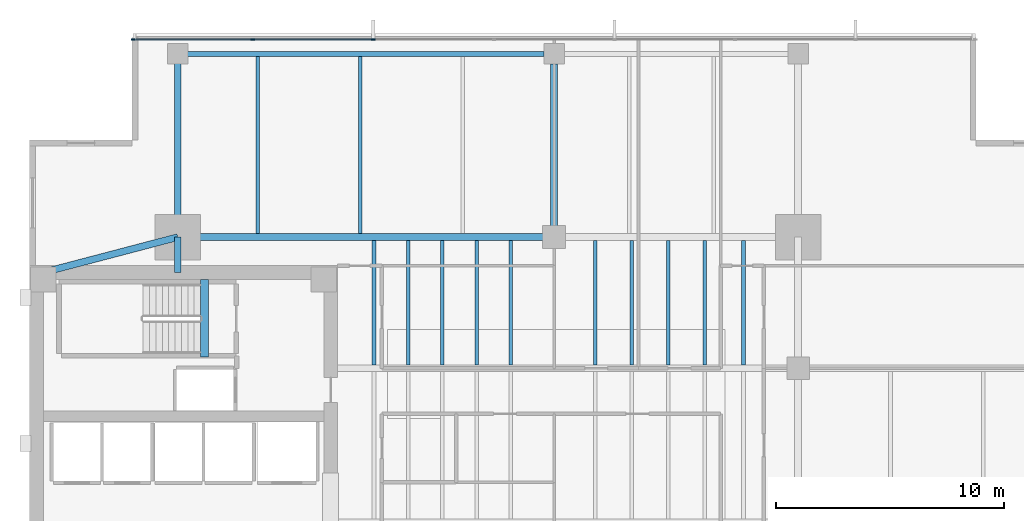
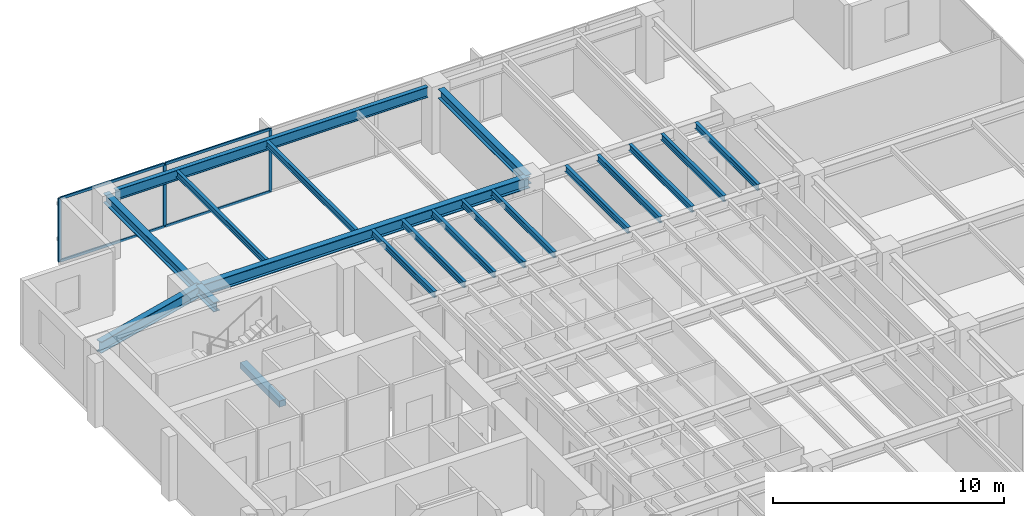
# One storey, part 5 of 14: 19 beams, 7 members, 1 element without a shape of its own.
"""IFC4 building model written with IfcOpenShell, lengths in metres."""

from ifc_helpers import new_model, si_unit, direction, frame, origin, origin_2d, place, context, subcontext, project, spatial, rectangle, i_section, extrude, material, layer, layer_set, material_profile, profile_set, type_object, element, aggregate, save


model = new_model("IFC4")

# Units and contexts
model_context = context("Model", 3, precision=1e-05, world=origin(), true_north=direction((0.0, 1.0)))
body_context = subcontext(model_context, "Body", "Model", "MODEL_VIEW")
ifc_project = project(units=[si_unit("LENGTHUNIT", "METRE"), si_unit("AREAUNIT", "SQUARE_METRE"), si_unit("VOLUMEUNIT", "CUBIC_METRE"), si_unit("PLANEANGLEUNIT", "RADIAN"), si_unit("MASSUNIT", "GRAM", prefix="KILO")], contexts=[model_context])

# Site, building, storey
site_placement = place(None, origin())
site = spatial("IfcSite", under=ifc_project, at=site_placement, CompositionType="ELEMENT")
building_placement = place(site_placement, origin())
building = spatial("IfcBuilding", under=site, at=building_placement, Name="Kinhvarn Gate Tower", CompositionType="ELEMENT")
storey_placement = place(building_placement, frame((0.0, 0.0, 155.5)))
storey = spatial("IfcBuildingStorey", under=building, at=storey_placement, Name="L41", CompositionType="ELEMENT", Elevation=155.5)

# Beam
ifc_material_1 = material(Name="Concrete C50/60", Category="concrete")
ifc_material_profile_1 = material_profile(ifc_material_1, rectangle(XDim=0.340087890625, YDim=0.320068359375, at=origin_2d()), Name="RC 340x320")
ifc_profile_set_1 = profile_set([ifc_material_profile_1], Name="Concrete C50/60")
beam_type_1 = type_object("IfcBeamType", Name="BM-LND-500", PredefinedType="BEAM", material=ifc_profile_set_1)
beam_1_placement = place(storey_placement, frame((12.1650390625, 32.5, -0.159912109375), z_axis=(0.0, 1.0, 0.0), x_axis=(-1.0, 0.0, 0.0)))
element("IfcBeam", 1, at=beam_1_placement, inside=storey, type_object=beam_type_1, Name="Stair ST2 Landing Nosing Beam (L41)", PredefinedType="BEAM", context=body_context, shape_type="SweptSolid", body=[
    extrude(rectangle(XDim=0.340087890625, YDim=0.320068359375, at=origin_2d()), origin(), (0.0, 0.0, 1.0), 3.39990234375),
])

# Curtain wall, members
ifc_material_2 = material(Name="Anodised aluminium AW-6063", Category="aluminium")
ifc_layer = layer(ifc_material_2, 0.179931640625)
ifc_layer_set = layer_set([ifc_layer], Name="Anodised aluminium AW-6063")
curtain_wall_type = type_object("IfcCurtainWallType", Name="CW-SYS-3", PredefinedType="NOTDEFINED", material=ifc_layer_set)
curtain_wall_placement = place(storey_placement, origin())
curtain_wall = element("IfcCurtainWall", 2, at=curtain_wall_placement, inside=storey, type_object=curtain_wall_type, Name="Curtain Wall CW3 (L41)", PredefinedType="NOTDEFINED")
ifc_material_profile_2 = material_profile(ifc_material_2, rectangle(XDim=0.06494140625, YDim=0.159912109375, at=origin_2d()), Name="ALU 65x160")
ifc_profile_set_2 = profile_set([ifc_material_profile_2], Name="Anodised aluminium AW-6063")
member_type_1 = type_object("IfcMemberType", Name="CW-MUL-160", PredefinedType="MULLION", material=ifc_profile_set_2)
member_1_placement = place(storey_placement, frame((19.571533203125, 46.409912109375, 0.0), z_axis=(0.0, 0.0, 1.0), x_axis=(0.0, -1.0, 0.0)))
member_1 = element("IfcMember", 3, at=member_1_placement, type_object=member_type_1, Name="CW3 mullion 6", PredefinedType="MULLION", context=body_context, shape_type="SweptSolid", body=[
    extrude(rectangle(XDim=0.06494140625, YDim=0.159912109375, at=origin_2d()), origin(), (0.0, 0.0, 1.0), 3.3701171875),
])
member_2_placement = place(storey_placement, frame((14.28564453125, 46.409912109375, 0.0), z_axis=(0.0, 0.0, 1.0), x_axis=(0.0, -1.0, 0.0)))
member_2 = element("IfcMember", 4, at=member_2_placement, type_object=member_type_1, Name="CW3 mullion 7", PredefinedType="MULLION", context=body_context, shape_type="SweptSolid", body=[
    extrude(rectangle(XDim=0.06494140625, YDim=0.159912109375, at=origin_2d()), origin(), (0.0, 0.0, 1.0), 3.3701171875),
])
member_3_placement = place(storey_placement, frame((9.032470703125, 46.409912109375, 0.0), z_axis=(0.0, 0.0, 1.0), x_axis=(0.0, -1.0, 0.0)))
member_3 = element("IfcMember", 5, at=member_3_placement, type_object=member_type_1, Name="CW3 mullion 8", PredefinedType="MULLION", context=body_context, shape_type="SweptSolid", body=[
    extrude(rectangle(XDim=0.06494140625, YDim=0.159912109375, at=origin_2d()), origin(), (0.0, 0.0, 1.0), 3.3701171875),
])
ifc_material_profile_3 = material_profile(ifc_material_2, rectangle(XDim=0.070068359375, YDim=0.139892578125, at=origin_2d()), Name="ALU 70x140")
ifc_profile_set_3 = profile_set([ifc_material_profile_3], Name="Anodised aluminium AW-6063")
member_type_2 = type_object("IfcMemberType", Name="CW-TRN-140", PredefinedType="USERDEFINED", material=ifc_profile_set_3)
member_4_placement = place(storey_placement, frame((19.538818359375, 46.409912109375, 0.034912109375), z_axis=(-1.0, 0.0, 0.0), x_axis=(0.0, -1.0, 0.0)))
member_4 = element("IfcMember", 6, at=member_4_placement, type_object=member_type_2, Name="CW3 transom 6.1", ObjectType="TRANSOM", PredefinedType="USERDEFINED", context=body_context, shape_type="SweptSolid", body=[
    extrude(rectangle(XDim=0.070068359375, YDim=0.139892578125, at=origin_2d()), origin(), (0.0, 0.0, 1.0), 5.220703125),
])
member_5_placement = place(storey_placement, frame((19.538818359375, 46.409912109375, 3.3349609375), z_axis=(-1.0, 0.0, 0.0), x_axis=(0.0, -1.0, 0.0)))
member_5 = element("IfcMember", 7, at=member_5_placement, type_object=member_type_2, Name="CW3 transom 6.2", ObjectType="TRANSOM", PredefinedType="USERDEFINED", context=body_context, shape_type="SweptSolid", body=[
    extrude(rectangle(XDim=0.070068359375, YDim=0.139892578125, at=origin_2d()), origin(), (0.0, 0.0, 1.0), 5.220703125),
])
member_6_placement = place(storey_placement, frame((14.253173828125, 46.409912109375, 0.034912109375), z_axis=(-1.0, 0.0, 0.0), x_axis=(0.0, -1.0, 0.0)))
member_6 = element("IfcMember", 8, at=member_6_placement, type_object=member_type_2, Name="CW3 transom 7.1", ObjectType="TRANSOM", PredefinedType="USERDEFINED", context=body_context, shape_type="SweptSolid", body=[
    extrude(rectangle(XDim=0.070068359375, YDim=0.139892578125, at=origin_2d()), origin(), (0.0, 0.0, 1.0), 5.188232421875),
])
member_7_placement = place(storey_placement, frame((14.253173828125, 46.409912109375, 3.3349609375), z_axis=(-1.0, 0.0, 0.0), x_axis=(0.0, -1.0, 0.0)))
member_7 = element("IfcMember", 9, at=member_7_placement, type_object=member_type_2, Name="CW3 transom 7.2", ObjectType="TRANSOM", PredefinedType="USERDEFINED", context=body_context, shape_type="SweptSolid", body=[
    extrude(rectangle(XDim=0.070068359375, YDim=0.139892578125, at=origin_2d()), origin(), (0.0, 0.0, 1.0), 5.188232421875),
])
aggregate(curtain_wall, [member_1, member_2, member_3, member_4, member_5, member_6, member_7])

# Beams
ifc_material_3 = material(Name="Steel S355", Category="steel")
ifc_material_profile_4 = material_profile(ifc_material_3, i_section(OverallWidth=0.300048828125, OverallDepth=0.5, WebThickness=0.014404296875, FlangeThickness=0.028076171875, at=origin_2d()), Name="HEB 500")
ifc_profile_set_4 = profile_set([ifc_material_profile_4], Name="Steel S355")
beam_type_2 = type_object("IfcBeamType", Name="STL-HEB500", PredefinedType="BEAM", material=ifc_profile_set_4)
beam_2_placement = place(storey_placement, frame((11.0, 36.199951171875, 3.1201171875), z_axis=(0.0, 1.0, 0.0), x_axis=(-1.0, 0.0, 0.0)))
element("IfcBeam", 10, at=beam_2_placement, inside=storey, type_object=beam_type_2, Name="Floor Beam PG-14 (L41 MCW-CN)", PredefinedType="BEAM", context=body_context, shape_type="SweptSolid", body=[
    extrude(i_section(OverallWidth=0.300048828125, OverallDepth=0.5, WebThickness=0.014404296875, FlangeThickness=0.028076171875, at=origin_2d()), origin(), (0.0, 0.0, 1.0), 1.550048828125),
])
beam_3_placement = place(storey_placement, frame((11.0, 37.75, 3.1201171875), z_axis=(0.0, 1.0, 0.0), x_axis=(-1.0, 0.0, 0.0)))
element("IfcBeam", 11, at=beam_3_placement, inside=storey, type_object=beam_type_2, Name="Floor Beam PG-14 (L41 MCW-N)", PredefinedType="BEAM", context=body_context, shape_type="SweptSolid", body=[
    extrude(i_section(OverallWidth=0.300048828125, OverallDepth=0.5, WebThickness=0.014404296875, FlangeThickness=0.028076171875, at=origin_2d()), origin(), (0.0, 0.0, 1.0), 8.030029296875),
])
beam_4_placement = place(storey_placement, frame((27.5, 37.75, 3.1201171875), z_axis=(0.0, 1.0, 0.0), x_axis=(-1.0, 0.0, 0.0)))
element("IfcBeam", 12, at=beam_4_placement, inside=storey, type_object=beam_type_2, Name="Floor Beam PG-14 (L41 SP27-N-TIE)", PredefinedType="BEAM", context=body_context, shape_type="SweptSolid", body=[
    extrude(i_section(OverallWidth=0.300048828125, OverallDepth=0.5, WebThickness=0.014404296875, FlangeThickness=0.028076171875, at=origin_2d()), origin(), (0.0, 0.0, 1.0), 7.594970703125),
])
ifc_material_profile_5 = material_profile(ifc_material_3, i_section(OverallWidth=0.300048828125, OverallDepth=0.60009765625, WebThickness=0.015380859375, FlangeThickness=0.030029296875, at=origin_2d()), Name="HEB 600")
ifc_profile_set_5 = profile_set([ifc_material_profile_5], Name="Steel S355")
beam_type_3 = type_object("IfcBeamType", Name="STL-HEB600", PredefinedType="BEAM", material=ifc_profile_set_5)
beam_5_placement = place(storey_placement, frame((11.0, 37.75, 3.070068359375), z_axis=(1.0, 0.0, 0.0), x_axis=(0.0, 1.0, 0.0)))
element("IfcBeam", 13, at=beam_5_placement, inside=storey, type_object=beam_type_3, Name="Floor Beam PG-16 (L41 MG-N1)", PredefinedType="BEAM", context=body_context, shape_type="SweptSolid", body=[
    extrude(i_section(OverallWidth=0.300048828125, OverallDepth=0.60009765625, WebThickness=0.015380859375, FlangeThickness=0.030029296875, at=origin_2d()), origin(), (0.0, 0.0, 1.0), 16.5),
])
beam_6_placement = place(storey_placement, frame((5.10009765625, 36.199951171875, 3.070068359375), z_axis=(0.967177623957, 0.254101246979, 0.0), x_axis=(-0.254101246979, 0.967177623957, 0.0)))
element("IfcBeam", 14, at=beam_6_placement, inside=storey, type_object=beam_type_3, Name="Floor Beam PG-16 (L41 MG-NW-DIAG)", PredefinedType="BEAM", context=body_context, shape_type="SweptSolid", body=[
    extrude(i_section(OverallWidth=0.300048828125, OverallDepth=0.60009765625, WebThickness=0.015380859375, FlangeThickness=0.030029296875, at=origin_2d()), origin(), (0.0, 0.0, 1.0), 6.10009765625),
])
ifc_material_profile_6 = material_profile(ifc_material_3, i_section(OverallWidth=0.159912109375, OverallDepth=0.330078125, WebThickness=0.007568359375, FlangeThickness=0.011474609375, at=origin_2d()), Name="IPE 330")
ifc_profile_set_6 = profile_set([ifc_material_profile_6], Name="Steel S355")
beam_type_4 = type_object("IfcBeamType", Name="STL-IPE330", PredefinedType="JOIST", material=ifc_profile_set_6)
for number, where, z_axis, x_axis, name in (
    (15, (19.60009765625, 32.14990234375, 3.205078125), (0.0, 1.0, 0.0), (-1.0, 0.0, 0.0), "Floor Joist SB-03 (L41 JC-X196-3)"),
    (16, (21.10009765625, 32.14990234375, 3.205078125), (0.0, 1.0, 0.0), (-1.0, 0.0, 0.0), "Floor Joist SB-03 (L41 JC-X211-3)"),
    (17, (22.60009765625, 32.14990234375, 3.205078125), (0.0, 1.0, 0.0), (-1.0, 0.0, 0.0), "Floor Joist SB-03 (L41 JC-X226-3)"),
    (18, (24.10009765625, 32.14990234375, 3.205078125), (0.0, 1.0, 0.0), (-1.0, 0.0, 0.0), "Floor Joist SB-03 (L41 JC-X241-3)"),
    (19, (25.60009765625, 32.14990234375, 3.205078125), (0.0, 1.0, 0.0), (-1.0, 0.0, 0.0), "Floor Joist SB-03 (L41 JC-X256-3)"),
    (20, (29.300048828125, 32.14990234375, 3.205078125), (0.0, 1.0, 0.0), (-1.0, 0.0, 0.0), "Floor Joist SB-03 (L41 JC-X293-3)"),
    (21, (30.89990234375, 32.14990234375, 3.205078125), (0.0, 1.0, 0.0), (-1.0, 0.0, 0.0), "Floor Joist SB-03 (L41 JC-X309-3)"),
    (22, (32.5, 32.14990234375, 3.205078125), (0.0, 1.0, 0.0), (-1.0, 0.0, 0.0), "Floor Joist SB-03 (L41 JC-X325-3)"),
    (23, (34.10009765625, 32.14990234375, 3.205078125), (0.0, 1.0, 0.0), (-1.0, 0.0, 0.0), "Floor Joist SB-03 (L41 JC-X341-3)"),
    (24, (35.800048828125, 32.14990234375, 3.205078125), (0.0, 1.0, 0.0), (-1.0, 0.0, 0.0), "Floor Joist SB-03 (L41 JC-X358-3)"),
):
    element("IfcBeam", number, at=place(storey_placement, frame(where, z_axis=z_axis, x_axis=x_axis)), inside=storey, type_object=beam_type_4, Name=name, PredefinedType="JOIST", context=body_context, shape_type="SweptSolid", body=[
        extrude(i_section(OverallWidth=0.159912109375, OverallDepth=0.330078125, WebThickness=0.007568359375, FlangeThickness=0.011474609375, at=origin_2d()), origin(), (0.0, 0.0, 1.0), 5.4501953125),
    ])
for number, where, z_axis, x_axis, name in (
    (25, (14.5, 37.89990234375, 3.205078125), (0.0, 1.0, 0.0), (-1.0, 0.0, 0.0), "Floor Joist SB-03 (L41 JN-X145)"),
    (26, (19.0, 37.89990234375, 3.205078125), (0.0, 1.0, 0.0), (-1.0, 0.0, 0.0), "Floor Joist SB-03 (L41 JN-X190)"),
):
    element("IfcBeam", number, at=place(storey_placement, frame(where, z_axis=z_axis, x_axis=x_axis)), inside=storey, type_object=beam_type_4, Name=name, PredefinedType="JOIST", context=body_context, shape_type="SweptSolid", body=[
        extrude(i_section(OverallWidth=0.159912109375, OverallDepth=0.330078125, WebThickness=0.007568359375, FlangeThickness=0.011474609375, at=origin_2d()), origin(), (0.0, 0.0, 1.0), 7.775146484375),
    ])
ifc_material_profile_7 = material_profile(ifc_material_3, i_section(OverallWidth=0.2099609375, OverallDepth=0.550048828125, WebThickness=0.010986328125, FlangeThickness=0.01708984375, at=origin_2d()), Name="IPE 550")
ifc_profile_set_7 = profile_set([ifc_material_profile_7], Name="Steel S355")
beam_type_5 = type_object("IfcBeamType", Name="STL-IPE550", PredefinedType="SPANDREL", material=ifc_profile_set_7)
beam_7_placement = place(storey_placement, frame((11.43505859375, 45.780029296875, 3.094970703125), z_axis=(1.0, 0.0, 0.0), x_axis=(0.0, 1.0, 0.0)))
element("IfcBeam", 27, at=beam_7_placement, inside=storey, type_object=beam_type_5, Name="Floor Spandrel SB-08 (L41 SP-N1)", PredefinedType="SPANDREL", context=body_context, shape_type="SweptSolid", body=[
    extrude(i_section(OverallWidth=0.2099609375, OverallDepth=0.550048828125, WebThickness=0.010986328125, FlangeThickness=0.01708984375, at=origin_2d()), origin(), (0.0, 0.0, 1.0), 15.6298828125),
])

save(model, "model.ifc")
